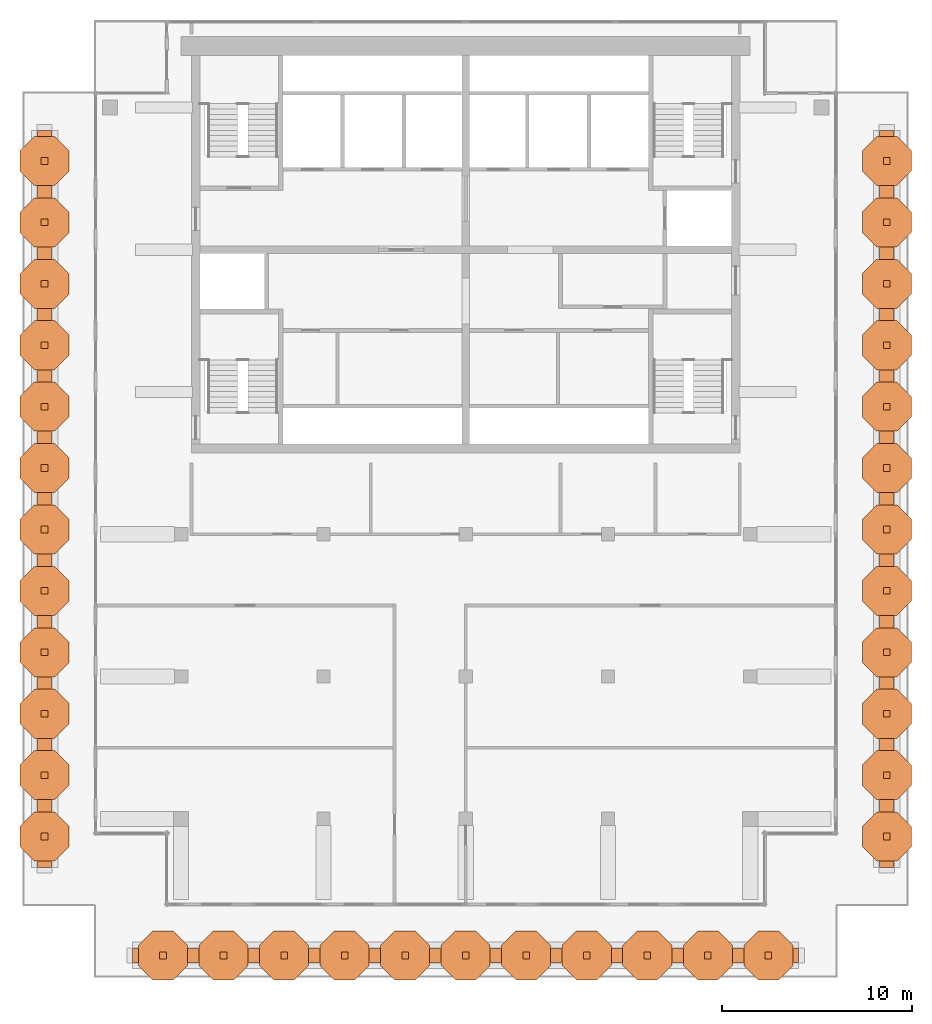
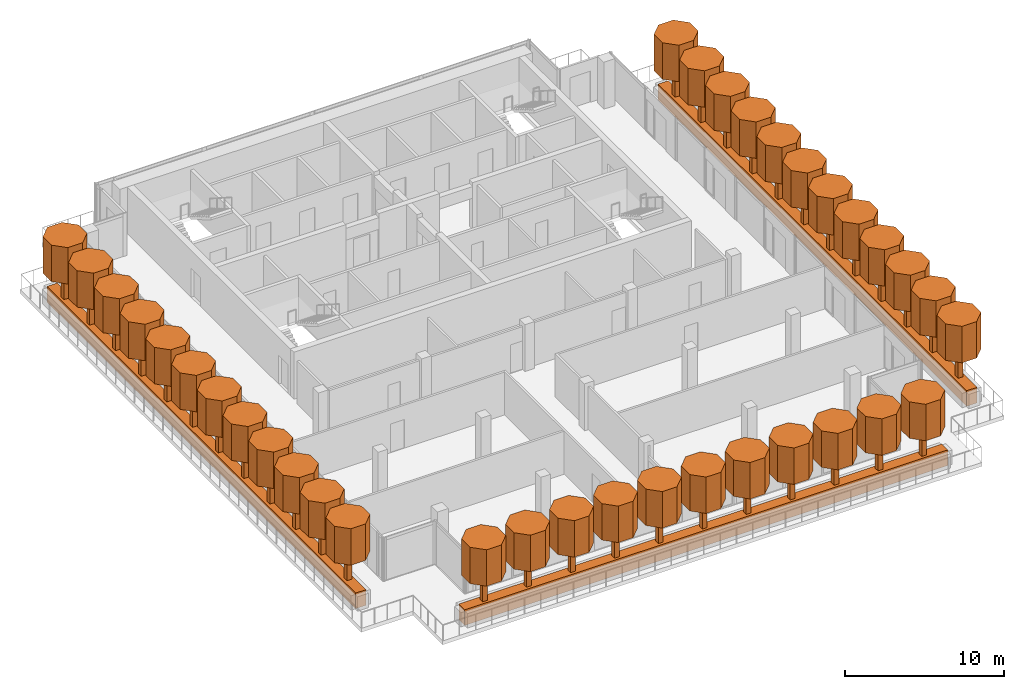
# One storey, part 15 of 15: 73 geographic elements.
"""IFC4 building model written with IfcOpenShell, lengths in metres."""

from ifc_helpers import new_model, si_unit, direction, frame, origin, origin_2d, place, context, subcontext, project, spatial, polyline, rectangle, outline, extrude, material, material_profile, profile_set, type_object, element, save


model = new_model("IFC4")

# Units and contexts
model_context = context("Model", 3, precision=1e-05, world=origin(), true_north=direction((0.0, 1.0)))
body_context = subcontext(model_context, "Body", "Model", "MODEL_VIEW")
ifc_project = project(units=[si_unit("LENGTHUNIT", "METRE"), si_unit("AREAUNIT", "SQUARE_METRE"), si_unit("VOLUMEUNIT", "CUBIC_METRE"), si_unit("PLANEANGLEUNIT", "RADIAN"), si_unit("MASSUNIT", "GRAM", prefix="KILO")], contexts=[model_context])

# Site, building, storey
site_placement = place(None, origin())
site = spatial("IfcSite", under=ifc_project, at=site_placement, CompositionType="ELEMENT")
building_placement = place(site_placement, origin())
building = spatial("IfcBuilding", under=site, at=building_placement, Name="Pilkhan Gate Tower", CompositionType="ELEMENT")
storey_placement = place(building_placement, frame((0.0, 0.0, 265.699951171875)))
storey = spatial("IfcBuildingStorey", under=building, at=storey_placement, Name="L69", CompositionType="ELEMENT", Elevation=265.699951171875)

# Geographic elements
ifc_material_1 = material(Name="Foliage")
ifc_material_profile_1 = material_profile(ifc_material_1, rectangle(XDim=0.75, YDim=1.199951171875, at=origin_2d()), Name="Bed 750x1200")
ifc_profile_set_1 = profile_set([ifc_material_profile_1], Name="Foliage")
geographic_element_type_1 = type_object("IfcGeographicElementType", Name="Planting bed PB1", PredefinedType="USERDEFINED", material=ifc_profile_set_1)
geographic_element_placement = place(storey_placement, frame((92.550048828125, 45.300048828125, 0.60009765625), z_axis=(-1.0, 0.0, 0.0), x_axis=(0.0, -1.0, 0.0)))
element("IfcGeographicElement", 1, at=geographic_element_placement, inside=storey, type_object=geographic_element_type_1, Name="Terrace L69 1 planting bed", ObjectType="PLANTING BED", PredefinedType="USERDEFINED", context=body_context, shape_type="SweptSolid", body=[
    extrude(rectangle(XDim=0.75, YDim=1.199951171875, at=origin_2d()), origin(), (0.0, 0.0, 1.0), 35.10009765625),
])
for number, where, z_axis, x_axis, name in (
    (2, (52.800048828125, 49.949951171875, 0.60009765625), (0.0, 1.0, 0.0), (-1.0, 0.0, 0.0), "Terrace L69 4 planting bed"),
    (3, (97.199951171875, 88.800048828125, 0.60009765625), (0.0, -1.0, 0.0), (1.0, 0.0, 0.0), "Terrace L69 14 planting bed"),
):
    element("IfcGeographicElement", number, at=place(storey_placement, frame(where, z_axis=z_axis, x_axis=x_axis)), inside=storey, type_object=geographic_element_type_1, Name=name, ObjectType="PLANTING BED", PredefinedType="USERDEFINED", context=body_context, shape_type="SweptSolid", body=[
        extrude(rectangle(XDim=0.75, YDim=1.199951171875, at=origin_2d()), origin(), (0.0, 0.0, 1.0), 38.85009765625),
    ])
ifc_material_profile_2 = material_profile(ifc_material_1, outline(polyline([(1.29345703125, 0.535888671875), (0.535888671875, 1.29345703125), (-0.535888671875, 1.29345703125), (-1.29345703125, 0.535888671875), (-1.29345703125, -0.535888671875), (-0.535888671875, -1.29345703125), (0.535888671875, -1.29345703125), (1.29345703125, -0.535888671875), (1.29345703125, 0.535888671875)])), Name="Canopy D2.8")
ifc_profile_set_2 = profile_set([ifc_material_profile_2], Name="Foliage")
geographic_element_type_2 = type_object("IfcGeographicElementType", Name="Tree canopy TC14", PredefinedType="USERDEFINED", material=ifc_profile_set_2)
for number, where, z_axis, x_axis, name in (
    (4, (90.95458984375, 45.300048828125, 3.199951171875), (0.0, 0.0, 1.0), (1.0, 0.0, 0.0), "Tree L69 terrace 1.1 canopy"),
    (5, (87.763671875, 45.300048828125, 3.199951171875), (0.0, 0.0, 1.0), (1.0, 0.0, 0.0), "Tree L69 terrace 1.2 canopy"),
    (6, (84.57275390625, 45.300048828125, 3.199951171875), (0.0, 0.0, 1.0), (1.0, 0.0, 0.0), "Tree L69 terrace 1.3 canopy"),
    (7, (81.3818359375, 45.300048828125, 3.199951171875), (0.0, 0.0, 1.0), (1.0, 0.0, 0.0), "Tree L69 terrace 1.4 canopy"),
    (8, (78.19091796875, 45.300048828125, 3.199951171875), (0.0, 0.0, 1.0), (1.0, 0.0, 0.0), "Tree L69 terrace 1.5 canopy"),
    (9, (75.0, 45.300048828125, 3.199951171875), (0.0, 0.0, 1.0), (1.0, 0.0, 0.0), "Tree L69 terrace 1.6 canopy"),
    (10, (71.80908203125, 45.300048828125, 3.199951171875), (0.0, 0.0, 1.0), (1.0, 0.0, 0.0), "Tree L69 terrace 1.7 canopy"),
    (11, (68.6181640625, 45.300048828125, 3.199951171875), (0.0, 0.0, 1.0), (1.0, 0.0, 0.0), "Tree L69 terrace 1.8 canopy"),
    (12, (65.42724609375, 45.300048828125, 3.199951171875), (0.0, 0.0, 1.0), (1.0, 0.0, 0.0), "Tree L69 terrace 1.9 canopy"),
    (13, (62.236328125, 45.300048828125, 3.199951171875), (0.0, 0.0, 1.0), (1.0, 0.0, 0.0), "Tree L69 terrace 1.10 canopy"),
    (14, (59.04541015625, 45.300048828125, 3.199951171875), (0.0, 0.0, 1.0), (1.0, 0.0, 0.0), "Tree L69 terrace 1.11 canopy"),
    (15, (52.800048828125, 51.56884765625, 3.199951171875), (0.0, 0.0, 1.0), (1.0, 0.0, 0.0), "Tree L69 terrace 4.1 canopy"),
    (16, (52.800048828125, 54.80615234375, 3.199951171875), (0.0, 0.0, 1.0), (1.0, 0.0, 0.0), "Tree L69 terrace 4.2 canopy"),
    (17, (52.800048828125, 58.043701171875, 3.199951171875), (0.0, 0.0, 1.0), (1.0, 0.0, 0.0), "Tree L69 terrace 4.3 canopy"),
    (18, (52.800048828125, 61.28125, 3.199951171875), (0.0, 0.0, 1.0), (1.0, 0.0, 0.0), "Tree L69 terrace 4.4 canopy"),
    (19, (52.800048828125, 64.518798828125, 3.199951171875), (0.0, 0.0, 1.0), (1.0, 0.0, 0.0), "Tree L69 terrace 4.5 canopy"),
    (20, (52.800048828125, 67.75634765625, 3.199951171875), (0.0, 0.0, 1.0), (1.0, 0.0, 0.0), "Tree L69 terrace 4.6 canopy"),
    (21, (52.800048828125, 70.99365234375, 3.199951171875), (0.0, 0.0, 1.0), (1.0, 0.0, 0.0), "Tree L69 terrace 4.7 canopy"),
    (22, (52.800048828125, 74.231201171875, 3.199951171875), (0.0, 0.0, 1.0), (1.0, 0.0, 0.0), "Tree L69 terrace 4.8 canopy"),
    (23, (52.800048828125, 77.46875, 3.199951171875), (0.0, 0.0, 1.0), (1.0, 0.0, 0.0), "Tree L69 terrace 4.9 canopy"),
    (24, (52.800048828125, 80.706298828125, 3.199951171875), (0.0, 0.0, 1.0), (1.0, 0.0, 0.0), "Tree L69 terrace 4.10 canopy"),
    (25, (52.800048828125, 83.94384765625, 3.199951171875), (0.0, 0.0, 1.0), (1.0, 0.0, 0.0), "Tree L69 terrace 4.11 canopy"),
    (26, (52.800048828125, 87.18115234375, 3.199951171875), (0.0, 0.0, 1.0), (1.0, 0.0, 0.0), "Tree L69 terrace 4.12 canopy"),
    (27, (97.199951171875, 87.18115234375, 3.199951171875), (0.0, 0.0, 1.0), (1.0, 0.0, 0.0), "Tree L69 terrace 14.1 canopy"),
    (28, (97.199951171875, 83.94384765625, 3.199951171875), (0.0, 0.0, 1.0), (1.0, 0.0, 0.0), "Tree L69 terrace 14.2 canopy"),
    (29, (97.199951171875, 80.706298828125, 3.199951171875), (0.0, 0.0, 1.0), (1.0, 0.0, 0.0), "Tree L69 terrace 14.3 canopy"),
    (30, (97.199951171875, 77.46875, 3.199951171875), (0.0, 0.0, 1.0), (1.0, 0.0, 0.0), "Tree L69 terrace 14.4 canopy"),
    (31, (97.199951171875, 74.231201171875, 3.199951171875), (0.0, 0.0, 1.0), (1.0, 0.0, 0.0), "Tree L69 terrace 14.5 canopy"),
    (32, (97.199951171875, 70.99365234375, 3.199951171875), (0.0, 0.0, 1.0), (1.0, 0.0, 0.0), "Tree L69 terrace 14.6 canopy"),
    (33, (97.199951171875, 67.75634765625, 3.199951171875), (0.0, 0.0, 1.0), (1.0, 0.0, 0.0), "Tree L69 terrace 14.7 canopy"),
    (34, (97.199951171875, 64.518798828125, 3.199951171875), (0.0, 0.0, 1.0), (1.0, 0.0, 0.0), "Tree L69 terrace 14.8 canopy"),
    (35, (97.199951171875, 61.28125, 3.199951171875), (0.0, 0.0, 1.0), (1.0, 0.0, 0.0), "Tree L69 terrace 14.9 canopy"),
    (36, (97.199951171875, 58.043701171875, 3.199951171875), (0.0, 0.0, 1.0), (1.0, 0.0, 0.0), "Tree L69 terrace 14.10 canopy"),
    (37, (97.199951171875, 54.80615234375, 3.199951171875), (0.0, 0.0, 1.0), (1.0, 0.0, 0.0), "Tree L69 terrace 14.11 canopy"),
    (38, (97.199951171875, 51.56884765625, 3.199951171875), (0.0, 0.0, 1.0), (1.0, 0.0, 0.0), "Tree L69 terrace 14.12 canopy"),
):
    element("IfcGeographicElement", number, at=place(storey_placement, frame(where, z_axis=z_axis, x_axis=x_axis)), inside=storey, type_object=geographic_element_type_2, Name=name, ObjectType="TREE", PredefinedType="USERDEFINED", context=body_context, shape_type="SweptSolid", body=[
        extrude(outline(polyline([(1.29345703125, 0.535888671875), (0.535888671875, 1.29345703125), (-0.535888671875, 1.29345703125), (-1.29345703125, 0.535888671875), (-1.29345703125, -0.535888671875), (-0.535888671875, -1.29345703125), (0.535888671875, -1.29345703125), (1.29345703125, -0.535888671875), (1.29345703125, 0.535888671875)])), origin(), (0.0, 0.0, 1.0), 2.800048828125),
    ])
ifc_material_2 = material(Name="Timber trunk", Category="wood")
geographic_element_type_3 = type_object("IfcGeographicElementType", Name="Tree trunk TT1", PredefinedType="USERDEFINED", material=ifc_material_2)
for number, where, z_axis, x_axis, name in (
    (39, (90.95458984375, 45.300048828125, 1.199951171875), (0.0, 0.0, 1.0), (1.0, 0.0, 0.0), "Tree L69 terrace 1.1 trunk"),
    (40, (87.763671875, 45.300048828125, 1.199951171875), (0.0, 0.0, 1.0), (1.0, 0.0, 0.0), "Tree L69 terrace 1.2 trunk"),
    (41, (84.57275390625, 45.300048828125, 1.199951171875), (0.0, 0.0, 1.0), (1.0, 0.0, 0.0), "Tree L69 terrace 1.3 trunk"),
    (42, (81.3818359375, 45.300048828125, 1.199951171875), (0.0, 0.0, 1.0), (1.0, 0.0, 0.0), "Tree L69 terrace 1.4 trunk"),
    (43, (78.19091796875, 45.300048828125, 1.199951171875), (0.0, 0.0, 1.0), (1.0, 0.0, 0.0), "Tree L69 terrace 1.5 trunk"),
    (44, (75.0, 45.300048828125, 1.199951171875), (0.0, 0.0, 1.0), (1.0, 0.0, 0.0), "Tree L69 terrace 1.6 trunk"),
    (45, (71.80908203125, 45.300048828125, 1.199951171875), (0.0, 0.0, 1.0), (1.0, 0.0, 0.0), "Tree L69 terrace 1.7 trunk"),
    (46, (68.6181640625, 45.300048828125, 1.199951171875), (0.0, 0.0, 1.0), (1.0, 0.0, 0.0), "Tree L69 terrace 1.8 trunk"),
    (47, (65.42724609375, 45.300048828125, 1.199951171875), (0.0, 0.0, 1.0), (1.0, 0.0, 0.0), "Tree L69 terrace 1.9 trunk"),
    (48, (62.236328125, 45.300048828125, 1.199951171875), (0.0, 0.0, 1.0), (1.0, 0.0, 0.0), "Tree L69 terrace 1.10 trunk"),
    (49, (59.04541015625, 45.300048828125, 1.199951171875), (0.0, 0.0, 1.0), (1.0, 0.0, 0.0), "Tree L69 terrace 1.11 trunk"),
    (50, (52.800048828125, 51.56884765625, 1.199951171875), (0.0, 0.0, 1.0), (1.0, 0.0, 0.0), "Tree L69 terrace 4.1 trunk"),
    (51, (52.800048828125, 54.80615234375, 1.199951171875), (0.0, 0.0, 1.0), (1.0, 0.0, 0.0), "Tree L69 terrace 4.2 trunk"),
    (52, (52.800048828125, 58.043701171875, 1.199951171875), (0.0, 0.0, 1.0), (1.0, 0.0, 0.0), "Tree L69 terrace 4.3 trunk"),
    (53, (52.800048828125, 61.28125, 1.199951171875), (0.0, 0.0, 1.0), (1.0, 0.0, 0.0), "Tree L69 terrace 4.4 trunk"),
    (54, (52.800048828125, 64.518798828125, 1.199951171875), (0.0, 0.0, 1.0), (1.0, 0.0, 0.0), "Tree L69 terrace 4.5 trunk"),
    (55, (52.800048828125, 67.75634765625, 1.199951171875), (0.0, 0.0, 1.0), (1.0, 0.0, 0.0), "Tree L69 terrace 4.6 trunk"),
    (56, (52.800048828125, 70.99365234375, 1.199951171875), (0.0, 0.0, 1.0), (1.0, 0.0, 0.0), "Tree L69 terrace 4.7 trunk"),
    (57, (52.800048828125, 74.231201171875, 1.199951171875), (0.0, 0.0, 1.0), (1.0, 0.0, 0.0), "Tree L69 terrace 4.8 trunk"),
    (58, (52.800048828125, 77.46875, 1.199951171875), (0.0, 0.0, 1.0), (1.0, 0.0, 0.0), "Tree L69 terrace 4.9 trunk"),
    (59, (52.800048828125, 80.706298828125, 1.199951171875), (0.0, 0.0, 1.0), (1.0, 0.0, 0.0), "Tree L69 terrace 4.10 trunk"),
    (60, (52.800048828125, 83.94384765625, 1.199951171875), (0.0, 0.0, 1.0), (1.0, 0.0, 0.0), "Tree L69 terrace 4.11 trunk"),
    (61, (52.800048828125, 87.18115234375, 1.199951171875), (0.0, 0.0, 1.0), (1.0, 0.0, 0.0), "Tree L69 terrace 4.12 trunk"),
    (62, (97.199951171875, 87.18115234375, 1.199951171875), (0.0, 0.0, 1.0), (1.0, 0.0, 0.0), "Tree L69 terrace 14.1 trunk"),
    (63, (97.199951171875, 83.94384765625, 1.199951171875), (0.0, 0.0, 1.0), (1.0, 0.0, 0.0), "Tree L69 terrace 14.2 trunk"),
    (64, (97.199951171875, 80.706298828125, 1.199951171875), (0.0, 0.0, 1.0), (1.0, 0.0, 0.0), "Tree L69 terrace 14.3 trunk"),
    (65, (97.199951171875, 77.46875, 1.199951171875), (0.0, 0.0, 1.0), (1.0, 0.0, 0.0), "Tree L69 terrace 14.4 trunk"),
    (66, (97.199951171875, 74.231201171875, 1.199951171875), (0.0, 0.0, 1.0), (1.0, 0.0, 0.0), "Tree L69 terrace 14.5 trunk"),
    (67, (97.199951171875, 70.99365234375, 1.199951171875), (0.0, 0.0, 1.0), (1.0, 0.0, 0.0), "Tree L69 terrace 14.6 trunk"),
    (68, (97.199951171875, 67.75634765625, 1.199951171875), (0.0, 0.0, 1.0), (1.0, 0.0, 0.0), "Tree L69 terrace 14.7 trunk"),
    (69, (97.199951171875, 64.518798828125, 1.199951171875), (0.0, 0.0, 1.0), (1.0, 0.0, 0.0), "Tree L69 terrace 14.8 trunk"),
    (70, (97.199951171875, 61.28125, 1.199951171875), (0.0, 0.0, 1.0), (1.0, 0.0, 0.0), "Tree L69 terrace 14.9 trunk"),
    (71, (97.199951171875, 58.043701171875, 1.199951171875), (0.0, 0.0, 1.0), (1.0, 0.0, 0.0), "Tree L69 terrace 14.10 trunk"),
    (72, (97.199951171875, 54.80615234375, 1.199951171875), (0.0, 0.0, 1.0), (1.0, 0.0, 0.0), "Tree L69 terrace 14.11 trunk"),
    (73, (97.199951171875, 51.56884765625, 1.199951171875), (0.0, 0.0, 1.0), (1.0, 0.0, 0.0), "Tree L69 terrace 14.12 trunk"),
):
    element("IfcGeographicElement", number, at=place(storey_placement, frame(where, z_axis=z_axis, x_axis=x_axis)), inside=storey, type_object=geographic_element_type_3, Name=name, ObjectType="TREE", PredefinedType="USERDEFINED", context=body_context, shape_type="SweptSolid", body=[
        extrude(rectangle(XDim=0.35009765625, YDim=0.35009765625, at=origin_2d()), origin(), (0.0, 0.0, 1.0), 2.0),
    ])

save(model, "model.ifc")
